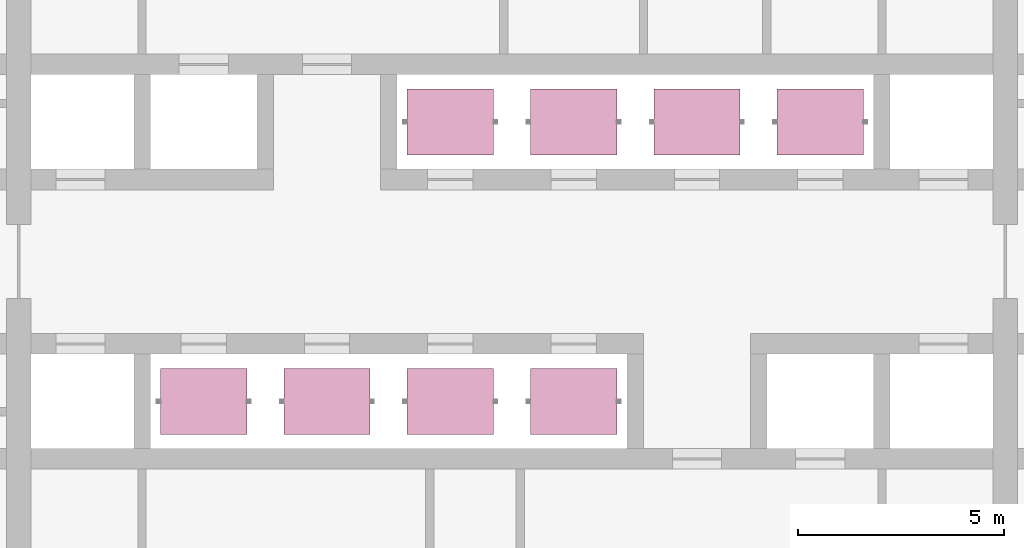
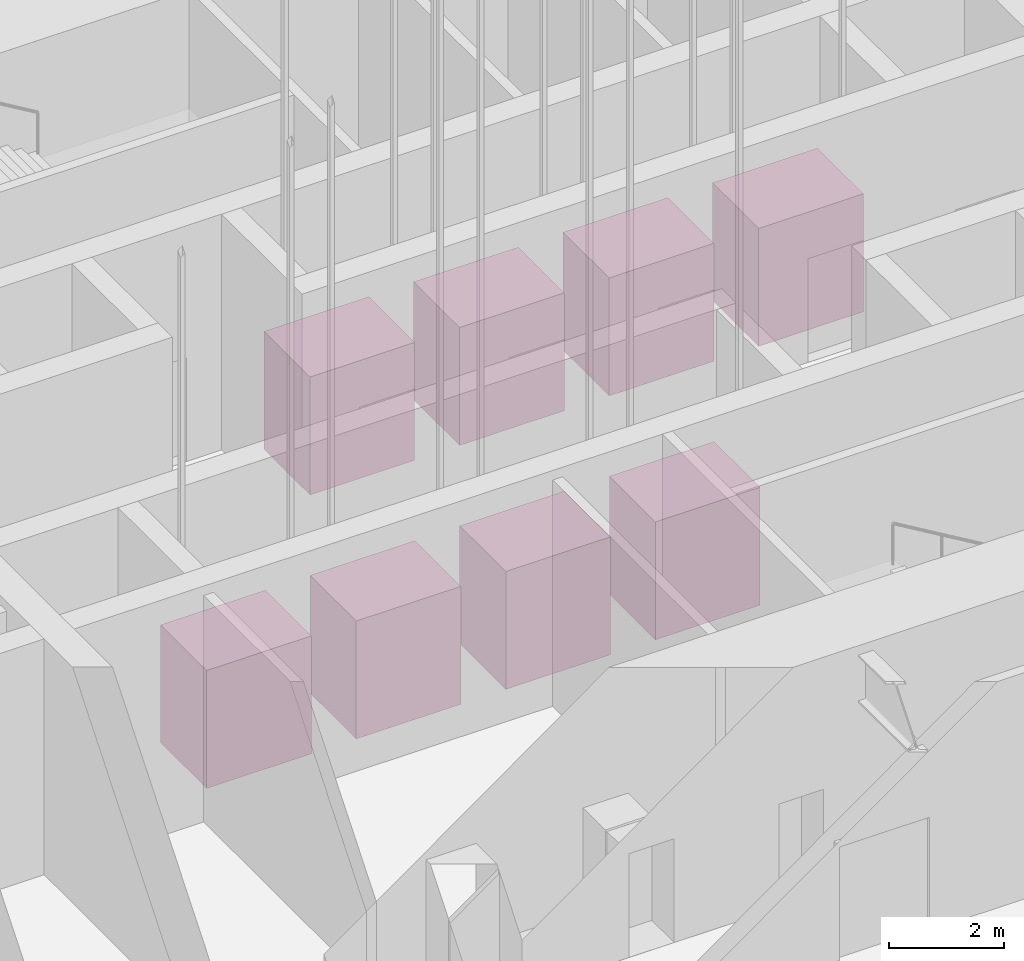
# One storey, part 13 of 14: 8 transport elements.
"""IFC4 building model written with IfcOpenShell, lengths in metres."""

import ifcopenshell
import ifcopenshell.guid

model = None  # the IFC model being written
_history = None  # IfcOwnerHistory: only IFC2X3 demands one
_inside = {}  # id of a spatial element -> (the spatial element, [elements in it])
_under = {}  # id of a project, library or spatial element -> (it, [spatial elements below it])
_declared = {}  # id of a project -> (the project, [libraries it declares])
_typed = {}  # id of a type object -> (the type object, [elements of that type])
_made_of = {}  # id of a material, layer set ... -> (it, [elements and type objects made of it])


def new_model(schema):
    """Start an empty IFC model of exactly this schema.

    Asked for "IFC4X3", IfcOpenShell would pick the latest addendum, in which some entities
    have other attributes; the version numbers below select the first issue.
    IFC2X3 requires an IfcOwnerHistory on every rooted entity: one is made here for all.
    """
    global model, _history
    if schema == "IFC4X3":
        model = ifcopenshell.file(schema_version=(4, 3, 0, 0))
    else:
        model = ifcopenshell.file(schema=schema)
    _inside.clear()
    _under.clear()
    _declared.clear()
    _typed.clear()
    _made_of.clear()
    _history = None
    if model.schema == "IFC2X3":
        org = make("IfcOrganization", Name="unknown")
        user = make(
            "IfcPersonAndOrganization",
            ThePerson=make("IfcPerson", FamilyName="unknown"),
            TheOrganization=org,
        )
        app = make(
            "IfcApplication",
            ApplicationDeveloper=org,
            Version="unknown",
            ApplicationFullName="unknown",
            ApplicationIdentifier="unknown",
        )
        _history = make(
            "IfcOwnerHistory",
            OwningUser=user,
            OwningApplication=app,
            ChangeAction="ADDED",
            CreationDate=0,
        )
    return model


def make(cls, **values):
    """One entity of the class cls with the attributes given. An attribute that is None is left unset."""
    return model.create_entity(
        cls, **{name: value for name, value in values.items() if value is not None}
    )


def rooted(cls, **values):
    """An entity with a GlobalId (a new one), such as an element, a storey or a relation."""
    return make(cls, GlobalId=ifcopenshell.guid.new(), OwnerHistory=_history, **values)


def si_unit(unit_type, name, prefix=None):
    """IfcSIUnit, for example si_unit("LENGTHUNIT", "METRE", prefix="MILLI")."""
    return make("IfcSIUnit", UnitType=unit_type, Prefix=prefix, Name=name)


def assignment(units):
    """IfcUnitAssignment: the units of a project."""
    return None if units is None else make("IfcUnitAssignment", Units=units)


def point(xyz):
    """IfcCartesianPoint."""
    return None if xyz is None else make("IfcCartesianPoint", Coordinates=xyz)


def direction(xyz):
    """IfcDirection."""
    return None if xyz is None else make("IfcDirection", DirectionRatios=xyz)


def frame(location, z_axis=None, x_axis=None):
    """IfcAxis2Placement3D, a coordinate frame: its origin and axes. An axis left out is left unset."""
    return make(
        "IfcAxis2Placement3D",
        Location=point(location),
        Axis=direction(z_axis),
        RefDirection=direction(x_axis),
    )


def frame_2d(location, x_axis=None):
    """IfcAxis2Placement2D, a coordinate frame in the plane: its origin and x axis."""
    return make(
        "IfcAxis2Placement2D", Location=point(location), RefDirection=direction(x_axis)
    )


def origin():
    """The frame at (0, 0, 0) with its axes left unset."""
    return frame((0.0, 0.0, 0.0))


def origin_2d():
    """The frame at (0, 0) in the plane with its x axis left unset."""
    return frame_2d((0.0, 0.0))


def place(relative_to, where):
    """IfcLocalPlacement: puts the frame where relative to a parent placement (None: the world)."""
    return make(
        "IfcLocalPlacement", PlacementRelTo=relative_to, RelativePlacement=where
    )


def context(
    kind, dimensions, precision=None, world=None, true_north=None, identifier=None
):
    """IfcGeometricRepresentationContext, for example the 3D "Model" context."""
    return make(
        "IfcGeometricRepresentationContext",
        ContextIdentifier=identifier,
        ContextType=kind,
        CoordinateSpaceDimension=dimensions,
        Precision=precision,
        WorldCoordinateSystem=world,
        TrueNorth=true_north,
    )


def subcontext(parent, identifier, kind, view, scale=None):
    """IfcGeometricRepresentationSubContext, for example "Body" below "Model"."""
    return make(
        "IfcGeometricRepresentationSubContext",
        ContextIdentifier=identifier,
        ContextType=kind,
        ParentContext=parent,
        TargetScale=scale,
        TargetView=view,
    )


def project(units=None, contexts=None):
    """IfcProject with its units and contexts."""
    return rooted(
        "IfcProject",
        Name="project",
        RepresentationContexts=contexts,
        UnitsInContext=assignment(units),
    )


def spatial(cls, under=None, at=None, **own):
    """A site, building, storey or space (cls), placed at a placement, below another one or the project."""
    s = rooted(cls, ObjectPlacement=at, **own)
    if under is not None:
        _under.setdefault(under.id(), (under, []))[1].append(s)
    return s


def profile(cls, at=None, kind="AREA", **sizes):
    """A parametric profile (cls). Its sizes go by their IFC names, for example OverallWidth=200.0."""
    return make(cls, ProfileType=kind, Position=at, **sizes)


def rectangle(**sizes):
    """IfcRectangleProfileDef."""
    return profile("IfcRectangleProfileDef", **sizes)


def extrude(swept, where, along, depth):
    """IfcExtrudedAreaSolid: the profile swept, set in the frame where, extruded along a direction by depth."""
    return make(
        "IfcExtrudedAreaSolid",
        SweptArea=swept,
        Position=where,
        ExtrudedDirection=direction(along),
        Depth=depth,
    )


def shape(context_of_items, identifier, shape_type, items):
    """IfcShapeRepresentation: the items that make up one representation, for example the "Body"."""
    return make(
        "IfcShapeRepresentation",
        ContextOfItems=context_of_items,
        RepresentationIdentifier=identifier,
        RepresentationType=shape_type,
        Items=items,
    )


def material(Name=None, Category=None):
    """IfcMaterial."""
    return make("IfcMaterial", Name=Name, Category=Category)


def made_of(thing, what):
    """Note that an element or type object is made of a material, layer set ...; save() writes the relation."""
    if what is not None:
        _made_of.setdefault(what.id(), (what, []))[1].append(thing)
    return thing


def type_object(cls, material=None, **own):
    """A type object (cls), such as IfcWallType, which elements share."""
    return made_of(rooted(cls, **own), material)


def element(
    cls,
    number,
    at=None,
    inside=None,
    cuts=None,
    type_object=None,
    material=None,
    context=None,
    identifier="Body",
    shape_type=None,
    held_by="IfcProductDefinitionShape",
    body=None,
    shapes=None,
    **own,
):
    """One element of the class cls, such as IfcWall. Its Tag is "e" and its number.

    at: its placement. inside: the storey or other place that contains it. cuts: it is an
    opening in that element (IfcRelVoidsElement). A single representation is given by context,
    identifier, shape_type and body (its items); several are given by shapes. held_by: the class
    of the entity that holds the representations. save() writes the other relations.
    """
    e = rooted(cls, Tag="e%d" % number, ObjectPlacement=at, **own)
    if body is not None:
        shapes = [shape(context, identifier, shape_type, body)]
    if shapes is not None:
        e.Representation = make(held_by, Representations=shapes)
    if inside is not None:
        _inside.setdefault(inside.id(), (inside, []))[1].append(e)
    if cuts is not None:
        rooted(
            "IfcRelVoidsElement", RelatingBuildingElement=cuts, RelatedOpeningElement=e
        )
    if type_object is not None:
        _typed.setdefault(type_object.id(), (type_object, []))[1].append(e)
    return made_of(e, material)


def aggregate(whole, parts):
    """IfcRelAggregates: a whole, such as a stair, and the parts it consists of."""
    return rooted("IfcRelAggregates", RelatingObject=whole, RelatedObjects=parts)


def save(model, path):
    """Write the relations noted so far, then the file.

    IfcRelAggregates (storeys below a building ...), IfcRelContainedInSpatialStructure (elements
    in a storey), IfcRelDefinesByType, IfcRelAssociatesMaterial and IfcRelDeclares: one each for
    every whole, place, type object, material and project.
    """
    for whole, parts in _under.values():
        aggregate(whole, parts)
    for where, things in _inside.values():
        rooted(
            "IfcRelContainedInSpatialStructure",
            RelatedElements=things,
            RelatingStructure=where,
        )
    for kind, things in _typed.values():
        rooted("IfcRelDefinesByType", RelatedObjects=things, RelatingType=kind)
    for what, things in _made_of.values():
        rooted("IfcRelAssociatesMaterial", RelatedObjects=things, RelatingMaterial=what)
    for by, libraries in _declared.values():
        rooted("IfcRelDeclares", RelatingContext=by, RelatedDefinitions=libraries)
    model.write(path)


model = new_model("IFC4")

# Units and contexts
model_context = context("Model", 3, precision=1e-05, world=origin(), true_north=direction((0.0, 1.0)))
body_context = subcontext(model_context, "Body", "Model", "MODEL_VIEW")
ifc_project = project(units=[si_unit("LENGTHUNIT", "METRE"), si_unit("AREAUNIT", "SQUARE_METRE"), si_unit("VOLUMEUNIT", "CUBIC_METRE"), si_unit("PLANEANGLEUNIT", "RADIAN"), si_unit("MASSUNIT", "GRAM", prefix="KILO")], contexts=[model_context])

# Site, building, storey
site_placement = place(None, origin())
site = spatial("IfcSite", under=ifc_project, at=site_placement, CompositionType="ELEMENT")
building_placement = place(site_placement, origin())
building = spatial("IfcBuilding", under=site, at=building_placement, Name="Tarfa Lantern Tower", CompositionType="ELEMENT")
storey_placement = place(building_placement, frame((0.0, 0.0, 306.5)))
storey = spatial("IfcBuildingStorey", under=building, at=storey_placement, Name="L69", CompositionType="ELEMENT", Elevation=306.5)

# Transport elements
ifc_material = material(Name="Steel lift car", Category="steel")
transport_element_type = type_object("IfcTransportElementType", Name="LT5 PASSENGER LIFT 1600 KG", PredefinedType="ELEVATOR", material=ifc_material)
for number, where, z_axis, x_axis, name in (
    (1, (-1.5, 3.39990234375, 0.0), (0.0, 0.0, 1.0), (1.0, 0.0, 0.0), "Lift PD1"),
    (2, (1.5, 3.39990234375, 0.0), (0.0, 0.0, 1.0), (1.0, 0.0, 0.0), "Lift PD2"),
    (3, (4.5, 3.39990234375, 0.0), (0.0, 0.0, 1.0), (1.0, 0.0, 0.0), "Lift PD3"),
    (4, (7.5, 3.39990234375, 0.0), (0.0, 0.0, 1.0), (1.0, 0.0, 0.0), "Lift PD4"),
    (5, (1.5, -3.39990234375, 0.0), (0.0, 0.0, 1.0), (1.0, 0.0, 0.0), "Lift PD5"),
    (6, (-1.5, -3.39990234375, 0.0), (0.0, 0.0, 1.0), (1.0, 0.0, 0.0), "Lift PD6"),
    (7, (-4.5, -3.39990234375, 0.0), (0.0, 0.0, 1.0), (1.0, 0.0, 0.0), "Lift PD7"),
    (8, (-7.5, -3.39990234375, 0.0), (0.0, 0.0, 1.0), (1.0, 0.0, 0.0), "Lift PD8"),
):
    element("IfcTransportElement", number, at=place(storey_placement, frame(where, z_axis=z_axis, x_axis=x_axis)), inside=storey, type_object=transport_element_type, Name=name, PredefinedType="ELEVATOR", context=body_context, shape_type="SweptSolid", body=[
        extrude(rectangle(XDim=2.10009765625, YDim=1.60009765625, at=origin_2d()), origin(), (0.0, 0.0, 1.0), 2.5),
    ])

save(model, "model.ifc")
